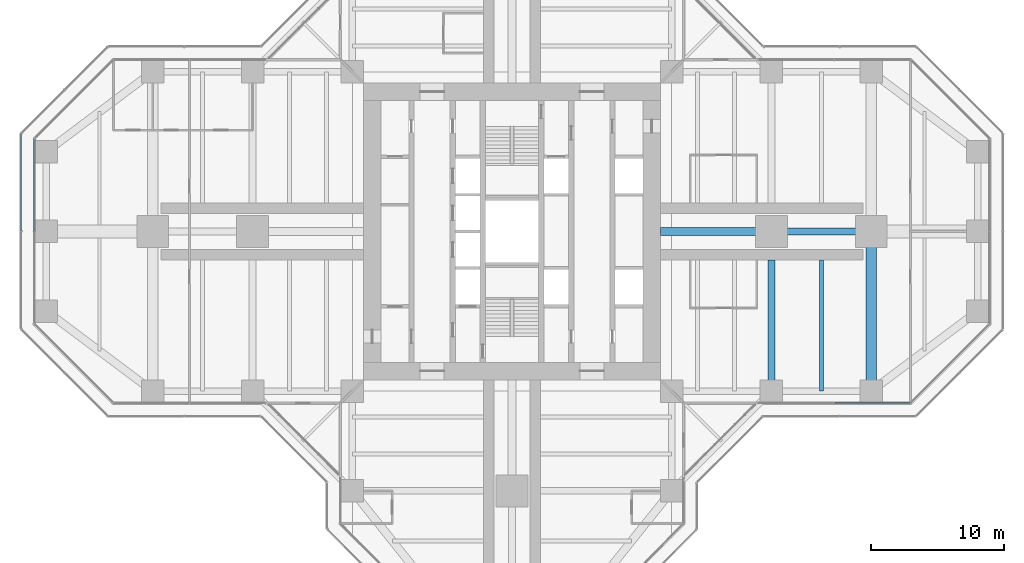
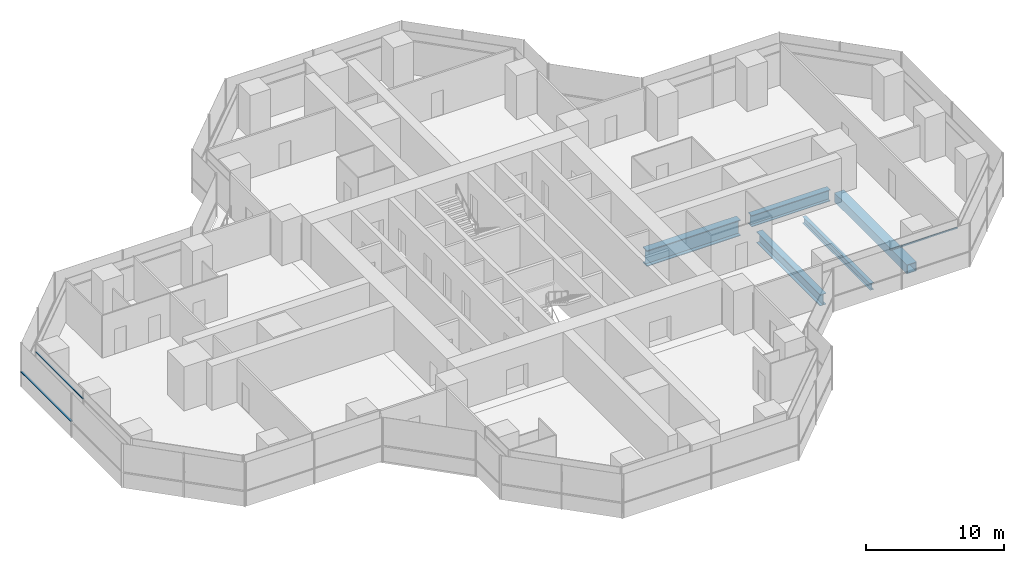
# One storey, part 6 of 19: 5 beams, 3 members, 3 elements without a shape of their own.
"""IFC4 building model written with IfcOpenShell, lengths in metres."""

from ifc_helpers import new_model, si_unit, direction, frame, origin, origin_2d, place, context, subcontext, project, spatial, rectangle, hollow_rectangle, i_section, extrude, material, material_profile, profile_set, type_object, element, aggregate, save


model = new_model("IFC4")

# Units and contexts
model_context = context("Model", 3, precision=1e-05, world=origin(), true_north=direction((0.0, 1.0)))
body_context = subcontext(model_context, "Body", "Model", "MODEL_VIEW")
ifc_project = project(units=[si_unit("LENGTHUNIT", "METRE"), si_unit("AREAUNIT", "SQUARE_METRE"), si_unit("VOLUMEUNIT", "CUBIC_METRE"), si_unit("PLANEANGLEUNIT", "RADIAN"), si_unit("MASSUNIT", "GRAM", prefix="KILO")], contexts=[model_context])

# Site, building, storey
site_placement = place(None, origin())
site = spatial("IfcSite", under=ifc_project, at=site_placement, CompositionType="ELEMENT")
building_placement = place(site_placement, origin())
building = spatial("IfcBuilding", under=site, at=building_placement, Name="Mizan Broadcast Tower", CompositionType="ELEMENT")
storey_placement = place(building_placement, frame((0.0, 0.0, 163.199951171875)))
storey = spatial("IfcBuildingStorey", under=building, at=storey_placement, Name="L37", CompositionType="ELEMENT", Elevation=163.199951171875)

# Beams
ifc_material_1 = material(Name="Steel S460", Category="steel")
ifc_material_profile_1 = material_profile(ifc_material_1, hollow_rectangle(XDim=0.800048828125, YDim=0.800048828125, WallThickness=0.050048828125, at=origin_2d()), Name="BOX 800x800x50")
ifc_profile_set_1 = profile_set([ifc_material_profile_1], Name="Steel S460")
beam_type_1 = type_object("IfcBeamType", Name="GIRDER BOX 800x800x50", PredefinedType="BEAM", material=ifc_profile_set_1)
beam_1_placement = place(storey_placement, frame((27.0, -11.280029296875, -0.530029296875), z_axis=(0.0, 1.0, 0.0), x_axis=(-1.0, 0.0, 0.0)))
element("IfcBeam", 1, at=beam_1_placement, inside=storey, type_object=beam_type_1, Name="Girder BOX 800x800x50 L37 east arm", PredefinedType="BEAM", context=body_context, shape_type="SweptSolid", body=[
    extrude(hollow_rectangle(XDim=0.800048828125, YDim=0.800048828125, WallThickness=0.050048828125, at=origin_2d()), origin(), (0.0, 0.0, 1.0), 10.56005859375),
])
ifc_material_2 = material(Name="Steel S460", Category="steel")
ifc_material_profile_2 = material_profile(ifc_material_2, i_section(OverallWidth=0.5, OverallDepth=1.0, WebThickness=0.02490234375, FlangeThickness=0.050048828125, at=origin_2d()), Name="WPG 1000x500")
ifc_profile_set_2 = profile_set([ifc_material_profile_2], Name="Steel S460")
beam_type_2 = type_object("IfcBeamType", Name="GIRDER WPG 1000x500", PredefinedType="BEAM", material=ifc_profile_set_2)
beam_2_placement = place(storey_placement, frame((19.949951171875, 0.0, -0.6298828125), z_axis=(1.0, 0.0, 0.0), x_axis=(0.0, 1.0, 0.0)))
element("IfcBeam", 2, at=beam_2_placement, inside=storey, type_object=beam_type_2, Name="Girder WPG 1000x500 L37 east arm", PredefinedType="BEAM", context=body_context, shape_type="SweptSolid", body=[
    extrude(i_section(OverallWidth=0.5, OverallDepth=1.0, WebThickness=0.02490234375, FlangeThickness=0.050048828125, at=origin_2d()), origin(), (0.0, 0.0, 1.0), 6.60009765625),
])
beam_3_placement = place(storey_placement, frame((19.5, -11.408935546875, -0.6298828125), z_axis=(0.0, 1.0, 0.0), x_axis=(-1.0, 0.0, 0.0)))
element("IfcBeam", 3, at=beam_3_placement, inside=storey, type_object=beam_type_2, Name="Girder WPG 1000x500 L37 east arm", PredefinedType="BEAM", context=body_context, shape_type="SweptSolid", body=[
    extrude(i_section(OverallWidth=0.5, OverallDepth=1.0, WebThickness=0.02490234375, FlangeThickness=0.050048828125, at=origin_2d()), origin(), (0.0, 0.0, 1.0), 9.259033203125),
])
ifc_material_3 = material(Name="Steel S460", Category="steel")
ifc_material_profile_3 = material_profile(ifc_material_3, i_section(OverallWidth=0.60009765625, OverallDepth=1.39990234375, WebThickness=0.02490234375, FlangeThickness=0.06005859375, at=origin_2d()), Name="WPG 1400x600")
ifc_profile_set_3 = profile_set([ifc_material_profile_3], Name="Steel S460")
beam_type_3 = type_object("IfcBeamType", Name="GIRDER WPG 1400x600", PredefinedType="BEAM", material=ifc_profile_set_3)
beam_4_placement = place(storey_placement, frame((11.14990234375, 0.0, -0.829833984375), z_axis=(1.0, 0.0, 0.0), x_axis=(0.0, 1.0, 0.0)))
element("IfcBeam", 4, at=beam_4_placement, inside=storey, type_object=beam_type_3, Name="Girder WPG 1400x600 L37 east arm", PredefinedType="BEAM", context=body_context, shape_type="SweptSolid", body=[
    extrude(i_section(OverallWidth=0.60009765625, OverallDepth=1.39990234375, WebThickness=0.02490234375, FlangeThickness=0.06005859375, at=origin_2d()), origin(), (0.0, 0.0, 1.0), 7.84912109375),
])

# Curtain wall, member
ifc_material_4 = material(Name="Aluminium framed glazing", Category="aluminium")
curtain_wall_type_1 = type_object("IfcCurtainWallType", Name="INNER SKIN MID ZONE", PredefinedType="USERDEFINED", material=ifc_material_4)
curtain_wall_1_placement = place(storey_placement, origin())
curtain_wall_1 = element("IfcCurtainWall", 5, at=curtain_wall_1_placement, inside=storey, type_object=curtain_wall_type_1, Name="Inner skin mid zone L37 E side", ObjectType="INNER SKIN MID ZONE", PredefinedType="USERDEFINED")
ifc_material_5 = material(Name="Aluminium, pale anodised", Category="aluminium")
ifc_material_profile_4 = material_profile(ifc_material_5, rectangle(XDim=0.1201171875, YDim=0.06005859375, at=origin_2d()), Name="TRANSOM 120x60")
ifc_profile_set_4 = profile_set([ifc_material_profile_4], Name="Aluminium, pale anodised")
member_type_1 = type_object("IfcMemberType", Name="INNER SKIN TRANSOM 60x120", PredefinedType="USERDEFINED", material=ifc_profile_set_4)
member_1_placement = place(storey_placement, frame((24.25927734375, -12.89990234375, 3.030029296875), z_axis=(1.0, 0.0, 0.0), x_axis=(0.0, 1.0, 0.0)))
member_1 = element("IfcMember", 6, at=member_1_placement, type_object=member_type_1, Name="Inner skin mid zone L37 E side transom 2.1", ObjectType="TRANSOM", PredefinedType="USERDEFINED", context=body_context, shape_type="SweptSolid", body=[
    extrude(rectangle(XDim=0.1201171875, YDim=0.06005859375, at=origin_2d()), origin(), (0.0, 0.0, 1.0), 5.639404296875),
])
aggregate(curtain_wall_1, [member_1])

curtain_wall_2_placement = place(storey_placement, origin())
curtain_wall_2 = element("IfcCurtainWall", 7, at=curtain_wall_2_placement, inside=storey, type_object=curtain_wall_type_1, Name="Inner skin mid zone L37 W end", ObjectType="INNER SKIN MID ZONE", PredefinedType="USERDEFINED")
member_2_placement = place(storey_placement, frame((-35.89990234375, 6.898681640625, 3.030029296875), z_axis=(0.0, -1.0, 0.0), x_axis=(1.0, 0.0, 0.0)))
member_2 = element("IfcMember", 8, at=member_2_placement, type_object=member_type_1, Name="Inner skin mid zone L37 W end transom 1.1", ObjectType="TRANSOM", PredefinedType="USERDEFINED", context=body_context, shape_type="SweptSolid", body=[
    extrude(rectangle(XDim=0.1201171875, YDim=0.06005859375, at=origin_2d()), origin(), (0.0, 0.0, 1.0), 6.86865234375),
])
aggregate(curtain_wall_2, [member_2])

ifc_material_6 = material(Name="Aluminium framed glazing", Category="aluminium")
curtain_wall_type_2 = type_object("IfcCurtainWallType", Name="OUTER SKIN", PredefinedType="USERDEFINED", material=ifc_material_6)
curtain_wall_3_placement = place(storey_placement, origin())
curtain_wall_3 = element("IfcCurtainWall", 9, at=curtain_wall_3_placement, inside=storey, type_object=curtain_wall_type_2, Name="Outer skin L37 W end", ObjectType="OUTER SKIN", PredefinedType="USERDEFINED")
ifc_material_7 = material(Name="Aluminium, pale anodised", Category="aluminium")
ifc_material_profile_5 = material_profile(ifc_material_7, rectangle(XDim=0.159912109375, YDim=0.06005859375, at=origin_2d()), Name="TRANSOM 160x60")
ifc_profile_set_5 = profile_set([ifc_material_profile_5], Name="Aluminium, pale anodised")
member_type_2 = type_object("IfcMemberType", Name="OUTER SKIN TRANSOM 60x160", PredefinedType="USERDEFINED", material=ifc_profile_set_5)
member_3_placement = place(storey_placement, frame((-36.89990234375, 7.292724609375, 1.400146484375), z_axis=(0.0, -1.0, 0.0), x_axis=(1.0, 0.0, 0.0)))
member_3 = element("IfcMember", 10, at=member_3_placement, type_object=member_type_2, Name="Outer skin L37 W end transom 1.1", ObjectType="TRANSOM", PredefinedType="USERDEFINED", context=body_context, shape_type="SweptSolid", body=[
    extrude(rectangle(XDim=0.159912109375, YDim=0.06005859375, at=origin_2d()), origin(), (0.0, 0.0, 1.0), 7.252685546875),
])
aggregate(curtain_wall_3, [member_3])

# Beam
ifc_material_8 = material(Name="Steel S355", Category="steel")
ifc_material_profile_6 = material_profile(ifc_material_8, i_section(OverallWidth=0.300048828125, OverallDepth=0.590087890625, WebThickness=0.012939453125, FlangeThickness=0.02490234375, FilletRadius=0.027099609375, at=origin_2d()), Name="HEA 600")
ifc_profile_set_6 = profile_set([ifc_material_profile_6], Name="Steel S355")
beam_type_4 = type_object("IfcBeamType", Name="SECONDARY BEAM HEA 600", PredefinedType="JOIST", material=ifc_profile_set_6)
beam_5_placement = place(storey_placement, frame((23.25, -12.0, -0.425048828125), z_axis=(0.0, 1.0, 0.0), x_axis=(-1.0, 0.0, 0.0)))
element("IfcBeam", 11, at=beam_5_placement, inside=storey, type_object=beam_type_4, Name="Secondary beam HEA 600 L37 east arm", PredefinedType="JOIST", context=body_context, shape_type="SweptSolid", body=[
    extrude(i_section(OverallWidth=0.300048828125, OverallDepth=0.590087890625, WebThickness=0.012939453125, FlangeThickness=0.02490234375, FilletRadius=0.027099609375, at=origin_2d()), origin(), (0.0, 0.0, 1.0), 9.85009765625),
])

save(model, "model.ifc")
